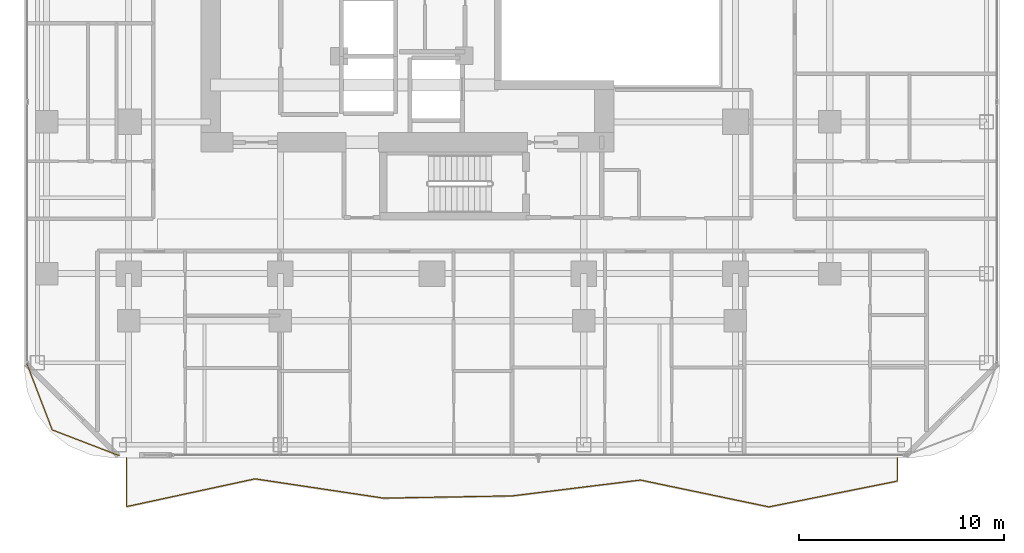
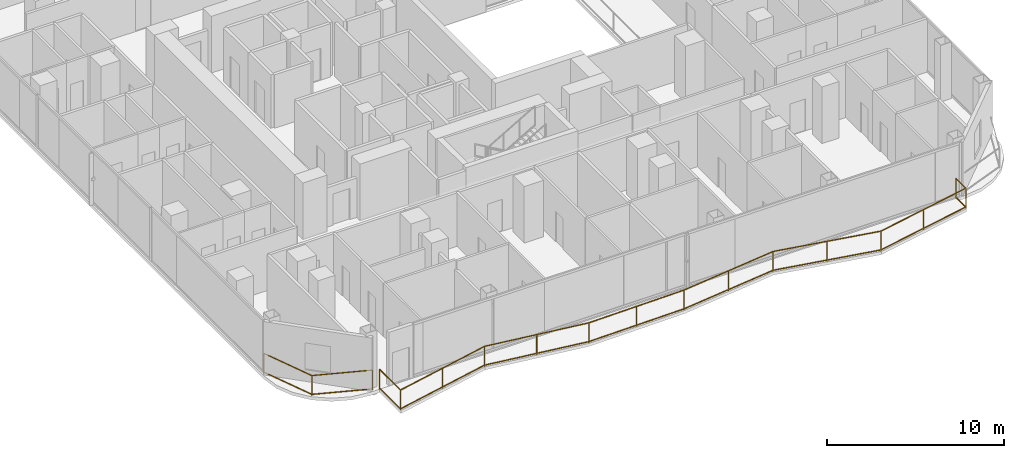
# One storey, part 24 of 29: 2 railings.
"""IFC4 building model written with IfcOpenShell, lengths in metres."""

import ifcopenshell
import ifcopenshell.guid

model = None  # the IFC model being written
_history = None  # IfcOwnerHistory: only IFC2X3 demands one
_inside = {}  # id of a spatial element -> (the spatial element, [elements in it])
_under = {}  # id of a project, library or spatial element -> (it, [spatial elements below it])
_declared = {}  # id of a project -> (the project, [libraries it declares])
_typed = {}  # id of a type object -> (the type object, [elements of that type])
_made_of = {}  # id of a material, layer set ... -> (it, [elements and type objects made of it])


def new_model(schema):
    """Start an empty IFC model of exactly this schema.

    Asked for "IFC4X3", IfcOpenShell would pick the latest addendum, in which some entities
    have other attributes; the version numbers below select the first issue.
    IFC2X3 requires an IfcOwnerHistory on every rooted entity: one is made here for all.
    """
    global model, _history
    if schema == "IFC4X3":
        model = ifcopenshell.file(schema_version=(4, 3, 0, 0))
    else:
        model = ifcopenshell.file(schema=schema)
    _inside.clear()
    _under.clear()
    _declared.clear()
    _typed.clear()
    _made_of.clear()
    _history = None
    if model.schema == "IFC2X3":
        org = make("IfcOrganization", Name="unknown")
        user = make(
            "IfcPersonAndOrganization",
            ThePerson=make("IfcPerson", FamilyName="unknown"),
            TheOrganization=org,
        )
        app = make(
            "IfcApplication",
            ApplicationDeveloper=org,
            Version="unknown",
            ApplicationFullName="unknown",
            ApplicationIdentifier="unknown",
        )
        _history = make(
            "IfcOwnerHistory",
            OwningUser=user,
            OwningApplication=app,
            ChangeAction="ADDED",
            CreationDate=0,
        )
    return model


def make(cls, **values):
    """One entity of the class cls with the attributes given. An attribute that is None is left unset."""
    return model.create_entity(
        cls, **{name: value for name, value in values.items() if value is not None}
    )


def rooted(cls, **values):
    """An entity with a GlobalId (a new one), such as an element, a storey or a relation."""
    return make(cls, GlobalId=ifcopenshell.guid.new(), OwnerHistory=_history, **values)


def si_unit(unit_type, name, prefix=None):
    """IfcSIUnit, for example si_unit("LENGTHUNIT", "METRE", prefix="MILLI")."""
    return make("IfcSIUnit", UnitType=unit_type, Prefix=prefix, Name=name)


def assignment(units):
    """IfcUnitAssignment: the units of a project."""
    return None if units is None else make("IfcUnitAssignment", Units=units)


def point(xyz):
    """IfcCartesianPoint."""
    return None if xyz is None else make("IfcCartesianPoint", Coordinates=xyz)


def direction(xyz):
    """IfcDirection."""
    return None if xyz is None else make("IfcDirection", DirectionRatios=xyz)


def frame(location, z_axis=None, x_axis=None):
    """IfcAxis2Placement3D, a coordinate frame: its origin and axes. An axis left out is left unset."""
    return make(
        "IfcAxis2Placement3D",
        Location=point(location),
        Axis=direction(z_axis),
        RefDirection=direction(x_axis),
    )


def frame_2d(location, x_axis=None):
    """IfcAxis2Placement2D, a coordinate frame in the plane: its origin and x axis."""
    return make(
        "IfcAxis2Placement2D", Location=point(location), RefDirection=direction(x_axis)
    )


def origin():
    """The frame at (0, 0, 0) with its axes left unset."""
    return frame((0.0, 0.0, 0.0))


def origin_2d():
    """The frame at (0, 0) in the plane with its x axis left unset."""
    return frame_2d((0.0, 0.0))


def place(relative_to, where):
    """IfcLocalPlacement: puts the frame where relative to a parent placement (None: the world)."""
    return make(
        "IfcLocalPlacement", PlacementRelTo=relative_to, RelativePlacement=where
    )


def context(
    kind, dimensions, precision=None, world=None, true_north=None, identifier=None
):
    """IfcGeometricRepresentationContext, for example the 3D "Model" context."""
    return make(
        "IfcGeometricRepresentationContext",
        ContextIdentifier=identifier,
        ContextType=kind,
        CoordinateSpaceDimension=dimensions,
        Precision=precision,
        WorldCoordinateSystem=world,
        TrueNorth=true_north,
    )


def subcontext(parent, identifier, kind, view, scale=None):
    """IfcGeometricRepresentationSubContext, for example "Body" below "Model"."""
    return make(
        "IfcGeometricRepresentationSubContext",
        ContextIdentifier=identifier,
        ContextType=kind,
        ParentContext=parent,
        TargetScale=scale,
        TargetView=view,
    )


def project(units=None, contexts=None):
    """IfcProject with its units and contexts."""
    return rooted(
        "IfcProject",
        Name="project",
        RepresentationContexts=contexts,
        UnitsInContext=assignment(units),
    )


def spatial(cls, under=None, at=None, **own):
    """A site, building, storey or space (cls), placed at a placement, below another one or the project."""
    s = rooted(cls, ObjectPlacement=at, **own)
    if under is not None:
        _under.setdefault(under.id(), (under, []))[1].append(s)
    return s


def profile(cls, at=None, kind="AREA", **sizes):
    """A parametric profile (cls). Its sizes go by their IFC names, for example OverallWidth=200.0."""
    return make(cls, ProfileType=kind, Position=at, **sizes)


def rectangle(**sizes):
    """IfcRectangleProfileDef."""
    return profile("IfcRectangleProfileDef", **sizes)


def extrude(swept, where, along, depth):
    """IfcExtrudedAreaSolid: the profile swept, set in the frame where, extruded along a direction by depth."""
    return make(
        "IfcExtrudedAreaSolid",
        SweptArea=swept,
        Position=where,
        ExtrudedDirection=direction(along),
        Depth=depth,
    )


def shape(context_of_items, identifier, shape_type, items):
    """IfcShapeRepresentation: the items that make up one representation, for example the "Body"."""
    return make(
        "IfcShapeRepresentation",
        ContextOfItems=context_of_items,
        RepresentationIdentifier=identifier,
        RepresentationType=shape_type,
        Items=items,
    )


def material(Name=None, Category=None):
    """IfcMaterial."""
    return make("IfcMaterial", Name=Name, Category=Category)


def made_of(thing, what):
    """Note that an element or type object is made of a material, layer set ...; save() writes the relation."""
    if what is not None:
        _made_of.setdefault(what.id(), (what, []))[1].append(thing)
    return thing


def type_object(cls, material=None, **own):
    """A type object (cls), such as IfcWallType, which elements share."""
    return made_of(rooted(cls, **own), material)


def element(
    cls,
    number,
    at=None,
    inside=None,
    cuts=None,
    type_object=None,
    material=None,
    context=None,
    identifier="Body",
    shape_type=None,
    held_by="IfcProductDefinitionShape",
    body=None,
    shapes=None,
    **own,
):
    """One element of the class cls, such as IfcWall. Its Tag is "e" and its number.

    at: its placement. inside: the storey or other place that contains it. cuts: it is an
    opening in that element (IfcRelVoidsElement). A single representation is given by context,
    identifier, shape_type and body (its items); several are given by shapes. held_by: the class
    of the entity that holds the representations. save() writes the other relations.
    """
    e = rooted(cls, Tag="e%d" % number, ObjectPlacement=at, **own)
    if body is not None:
        shapes = [shape(context, identifier, shape_type, body)]
    if shapes is not None:
        e.Representation = make(held_by, Representations=shapes)
    if inside is not None:
        _inside.setdefault(inside.id(), (inside, []))[1].append(e)
    if cuts is not None:
        rooted(
            "IfcRelVoidsElement", RelatingBuildingElement=cuts, RelatedOpeningElement=e
        )
    if type_object is not None:
        _typed.setdefault(type_object.id(), (type_object, []))[1].append(e)
    return made_of(e, material)


def aggregate(whole, parts):
    """IfcRelAggregates: a whole, such as a stair, and the parts it consists of."""
    return rooted("IfcRelAggregates", RelatingObject=whole, RelatedObjects=parts)


def save(model, path):
    """Write the relations noted so far, then the file.

    IfcRelAggregates (storeys below a building ...), IfcRelContainedInSpatialStructure (elements
    in a storey), IfcRelDefinesByType, IfcRelAssociatesMaterial and IfcRelDeclares: one each for
    every whole, place, type object, material and project.
    """
    for whole, parts in _under.values():
        aggregate(whole, parts)
    for where, things in _inside.values():
        rooted(
            "IfcRelContainedInSpatialStructure",
            RelatedElements=things,
            RelatingStructure=where,
        )
    for kind, things in _typed.values():
        rooted("IfcRelDefinesByType", RelatedObjects=things, RelatingType=kind)
    for what, things in _made_of.values():
        rooted("IfcRelAssociatesMaterial", RelatedObjects=things, RelatingMaterial=what)
    for by, libraries in _declared.values():
        rooted("IfcRelDeclares", RelatingContext=by, RelatedDefinitions=libraries)
    model.write(path)


model = new_model("IFC4")

# Units and contexts
model_context = context("Model", 3, precision=1e-05, world=origin(), true_north=direction((0.0, 1.0)))
body_context = subcontext(model_context, "Body", "Model", "MODEL_VIEW")
ifc_project = project(units=[si_unit("LENGTHUNIT", "METRE"), si_unit("AREAUNIT", "SQUARE_METRE"), si_unit("VOLUMEUNIT", "CUBIC_METRE"), si_unit("PLANEANGLEUNIT", "RADIAN"), si_unit("MASSUNIT", "GRAM", prefix="KILO")], contexts=[model_context])

# Site, building, storey
site_placement = place(None, origin())
site = spatial("IfcSite", under=ifc_project, at=site_placement, CompositionType="ELEMENT")
building_placement = place(site_placement, origin())
building = spatial("IfcBuilding", under=site, at=building_placement, Name="Khorvyn Point Tower", CompositionType="ELEMENT")
storey_placement = place(building_placement, frame((0.0, 0.0, 144.60009765625)))
storey = spatial("IfcBuildingStorey", under=building, at=storey_placement, Name="L36", CompositionType="ELEMENT", Elevation=144.60009765625)

# Railings
ifc_material = material(Name="Anodised aluminium 6063-T6 and laminated safety glass", Category="aluminium")
railing_type = type_object("IfcRailingType", Name="Laminated Glass and Aluminium Balcony Guardrail 1400", PredefinedType="BALUSTRADE", material=ifc_material)
railing_1_placement = place(storey_placement, frame((-19.774169921875, -19.176025390625, 0.0)))
element("IfcRailing", 1, at=railing_1_placement, inside=storey, type_object=railing_type, Name="L36 Rounded Corner Edge Guardrail SW", PredefinedType="BALUSTRADE", context=body_context, shape_type="SweptSolid", body=[
    extrude(rectangle(XDim=0.048095703125, YDim=0.048095703125, at=origin_2d()), frame((0.0, 0.0, 1.3759765625), z_axis=(0.358382264808, -0.933574931257, 0.0), x_axis=(0.933574931257, 0.358382264808, 0.0)), (0.0, 0.0, 1.0), 3.481689453125),
    extrude(rectangle(XDim=0.048095703125, YDim=0.048095703125, at=origin_2d()), frame((0.0, 0.0, 0.080078125), z_axis=(0.358382264808, -0.933574931257, 0.0), x_axis=(0.933574931257, 0.358382264808, 0.0)), (0.0, 0.0, 1.0), 3.481689453125),
    extrude(rectangle(XDim=0.048095703125, YDim=0.048095703125, at=origin_2d()), frame((1.247802734375, -3.25048828125, 1.3759765625), z_axis=(0.933598390295, -0.358321148746, 0.0), x_axis=(0.358321148746, 0.933598390295, 0.0)), (0.0, 0.0, 1.0), 3.481689453125),
    extrude(rectangle(XDim=0.048095703125, YDim=0.048095703125, at=origin_2d()), frame((1.247802734375, -3.25048828125, 0.080078125), z_axis=(0.933598390295, -0.358321148746, 0.0), x_axis=(0.358321148746, 0.933598390295, 0.0)), (0.0, 0.0, 1.0), 3.481689453125),
    extrude(rectangle(XDim=0.0419921875, YDim=0.0419921875, at=origin_2d()), origin(), (0.0, 0.0, 1.0), 1.351806640625),
    extrude(rectangle(XDim=0.0419921875, YDim=0.0419921875, at=origin_2d()), frame((1.247802734375, -3.25048828125, 0.0)), (0.0, 0.0, 1.0), 1.351806640625),
    extrude(rectangle(XDim=0.0419921875, YDim=0.0419921875, at=origin_2d()), frame((4.498291015625, -4.498046875, 0.0)), (0.0, 0.0, 1.0), 1.351806640625),
])
railing_2_placement = place(storey_placement, frame((-14.89990234375, -23.800048828125, 0.0)))
element("IfcRailing", 2, at=railing_2_placement, inside=storey, type_object=railing_type, Name="L36 South Balcony Guardrail", PredefinedType="BALUSTRADE", context=body_context, shape_type="SweptSolid", body=[
    extrude(rectangle(XDim=0.048095703125, YDim=0.048095703125, at=origin_2d()), frame((0.0, 0.0, 1.3759765625), z_axis=(0.0, -1.0, 0.0), x_axis=(1.0, 0.0, 0.0)), (0.0, 0.0, 1.0), 2.36669921875),
    extrude(rectangle(XDim=0.048095703125, YDim=0.048095703125, at=origin_2d()), frame((0.0, 0.0, 0.080078125), z_axis=(0.0, -1.0, 0.0), x_axis=(1.0, 0.0, 0.0)), (0.0, 0.0, 1.0), 2.36669921875),
    extrude(rectangle(XDim=0.048095703125, YDim=0.048095703125, at=origin_2d()), frame((0.0, -2.36669921875, 1.3759765625), z_axis=(0.977405023503, 0.21137506956, 0.0), x_axis=(-0.21137506956, 0.977405023503, 0.0)), (0.0, 0.0, 1.0), 6.411376953125),
    extrude(rectangle(XDim=0.048095703125, YDim=0.048095703125, at=origin_2d()), frame((0.0, -2.36669921875, 0.080078125), z_axis=(0.977405023503, 0.21137506956, 0.0), x_axis=(-0.21137506956, 0.977405023503, 0.0)), (0.0, 0.0, 1.0), 6.411376953125),
    extrude(rectangle(XDim=0.048095703125, YDim=0.048095703125, at=origin_2d()), frame((6.2666015625, -1.011474609375, 1.3759765625), z_axis=(0.988914865266, -0.148483632957, 0.0), x_axis=(0.148483632957, 0.988914865266, 0.0)), (0.0, 0.0, 1.0), 6.3369140625),
    extrude(rectangle(XDim=0.048095703125, YDim=0.048095703125, at=origin_2d()), frame((6.2666015625, -1.011474609375, 0.080078125), z_axis=(0.988914865266, -0.148483632957, 0.0), x_axis=(0.148483632957, 0.988914865266, 0.0)), (0.0, 0.0, 1.0), 6.3369140625),
    extrude(rectangle(XDim=0.048095703125, YDim=0.048095703125, at=origin_2d()), frame((12.533203125, -1.952392578125, 1.3759765625), z_axis=(0.999853108862, 0.017139448648, 0.0), x_axis=(-0.017139448648, 0.999853108862, 0.0)), (0.0, 0.0, 1.0), 6.267578125),
    extrude(rectangle(XDim=0.048095703125, YDim=0.048095703125, at=origin_2d()), frame((12.533203125, -1.952392578125, 0.080078125), z_axis=(0.999853108862, 0.017139448648, 0.0), x_axis=(-0.017139448648, 0.999853108862, 0.0)), (0.0, 0.0, 1.0), 6.267578125),
    extrude(rectangle(XDim=0.048095703125, YDim=0.048095703125, at=origin_2d()), frame((18.7998046875, -1.844970703125, 1.3759765625), z_axis=(0.992460588908, 0.122564185081, 0.0), x_axis=(-0.122564185081, 0.992460588908, 0.0)), (0.0, 0.0, 1.0), 6.314453125),
    extrude(rectangle(XDim=0.048095703125, YDim=0.048095703125, at=origin_2d()), frame((18.7998046875, -1.844970703125, 0.080078125), z_axis=(0.992460588908, 0.122564185081, 0.0), x_axis=(-0.122564185081, 0.992460588908, 0.0)), (0.0, 0.0, 1.0), 6.314453125),
    extrude(rectangle(XDim=0.048095703125, YDim=0.048095703125, at=origin_2d()), frame((25.066650390625, -1.071044921875, 1.3759765625), z_axis=(0.978831683943, -0.204666886696, 0.0), x_axis=(0.204666886696, 0.978831683943, 0.0)), (0.0, 0.0, 1.0), 6.402099609375),
    extrude(rectangle(XDim=0.048095703125, YDim=0.048095703125, at=origin_2d()), frame((25.066650390625, -1.071044921875, 0.080078125), z_axis=(0.978831683943, -0.204666886696, 0.0), x_axis=(0.204666886696, 0.978831683943, 0.0)), (0.0, 0.0, 1.0), 6.402099609375),
    extrude(rectangle(XDim=0.048095703125, YDim=0.048095703125, at=origin_2d()), frame((31.333251953125, -2.38134765625, 1.3759765625), z_axis=(0.980297632722, 0.197526077468, 0.0), x_axis=(-0.197526077468, 0.980297632722, 0.0)), (0.0, 0.0, 1.0), 6.392578125),
    extrude(rectangle(XDim=0.048095703125, YDim=0.048095703125, at=origin_2d()), frame((31.333251953125, -2.38134765625, 0.080078125), z_axis=(0.980297632722, 0.197526077468, 0.0), x_axis=(-0.197526077468, 0.980297632722, 0.0)), (0.0, 0.0, 1.0), 6.392578125),
    extrude(rectangle(XDim=0.048095703125, YDim=0.048095703125, at=origin_2d()), frame((37.599853515625, -1.11865234375, 1.3759765625), z_axis=(0.0, 1.0, 0.0), x_axis=(-1.0, 0.0, 0.0)), (0.0, 0.0, 1.0), 1.11865234375),
    extrude(rectangle(XDim=0.048095703125, YDim=0.048095703125, at=origin_2d()), frame((37.599853515625, -1.11865234375, 0.080078125), z_axis=(0.0, 1.0, 0.0), x_axis=(-1.0, 0.0, 0.0)), (0.0, 0.0, 1.0), 1.11865234375),
    extrude(rectangle(XDim=0.0419921875, YDim=0.0419921875, at=origin_2d()), origin(), (0.0, 0.0, 1.0), 1.351806640625),
    extrude(rectangle(XDim=0.0419921875, YDim=0.0419921875, at=origin_2d()), frame((0.0, -2.36669921875, 0.0)), (0.0, 0.0, 1.0), 1.351806640625),
    extrude(rectangle(XDim=0.0419921875, YDim=0.0419921875, at=origin_2d()), frame((3.13330078125, -1.68896484375, 0.0)), (0.0, 0.0, 1.0), 1.351806640625),
    extrude(rectangle(XDim=0.0419921875, YDim=0.0419921875, at=origin_2d()), frame((6.2666015625, -1.011474609375, 0.0)), (0.0, 0.0, 1.0), 1.351806640625),
    extrude(rectangle(XDim=0.0419921875, YDim=0.0419921875, at=origin_2d()), frame((9.39990234375, -1.48193359375, 0.0)), (0.0, 0.0, 1.0), 1.351806640625),
    extrude(rectangle(XDim=0.0419921875, YDim=0.0419921875, at=origin_2d()), frame((12.533203125, -1.952392578125, 0.0)), (0.0, 0.0, 1.0), 1.351806640625),
    extrude(rectangle(XDim=0.0419921875, YDim=0.0419921875, at=origin_2d()), frame((15.66650390625, -1.898681640625, 0.0)), (0.0, 0.0, 1.0), 1.351806640625),
    extrude(rectangle(XDim=0.0419921875, YDim=0.0419921875, at=origin_2d()), frame((18.7998046875, -1.844970703125, 0.0)), (0.0, 0.0, 1.0), 1.351806640625),
    extrude(rectangle(XDim=0.0419921875, YDim=0.0419921875, at=origin_2d()), frame((21.93310546875, -1.4580078125, 0.0)), (0.0, 0.0, 1.0), 1.351806640625),
    extrude(rectangle(XDim=0.0419921875, YDim=0.0419921875, at=origin_2d()), frame((25.066650390625, -1.071044921875, 0.0)), (0.0, 0.0, 1.0), 1.351806640625),
    extrude(rectangle(XDim=0.0419921875, YDim=0.0419921875, at=origin_2d()), frame((28.199951171875, -1.72607421875, 0.0)), (0.0, 0.0, 1.0), 1.351806640625),
    extrude(rectangle(XDim=0.0419921875, YDim=0.0419921875, at=origin_2d()), frame((31.333251953125, -2.38134765625, 0.0)), (0.0, 0.0, 1.0), 1.351806640625),
    extrude(rectangle(XDim=0.0419921875, YDim=0.0419921875, at=origin_2d()), frame((34.466552734375, -1.75, 0.0)), (0.0, 0.0, 1.0), 1.351806640625),
    extrude(rectangle(XDim=0.0419921875, YDim=0.0419921875, at=origin_2d()), frame((37.599853515625, -1.11865234375, 0.0)), (0.0, 0.0, 1.0), 1.351806640625),
    extrude(rectangle(XDim=0.0419921875, YDim=0.0419921875, at=origin_2d()), frame((37.599853515625, 0.0, 0.0)), (0.0, 0.0, 1.0), 1.351806640625),
])

save(model, "model.ifc")
